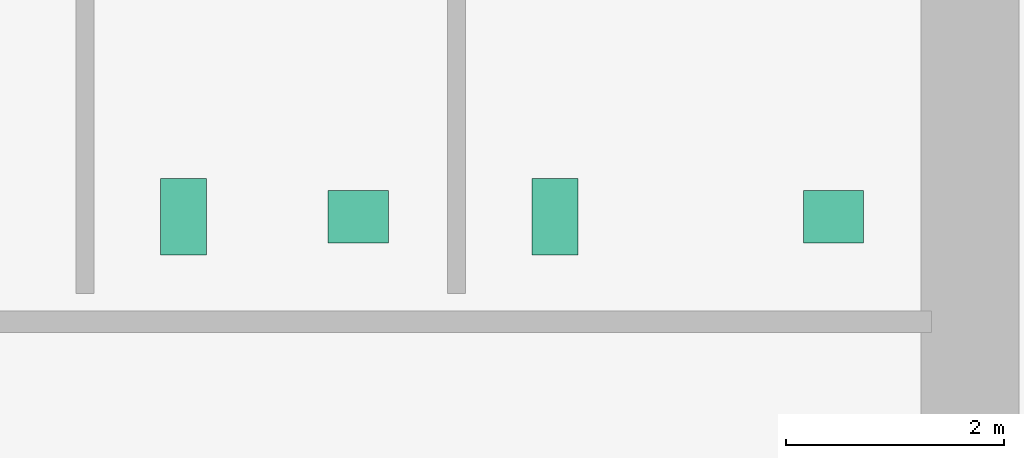
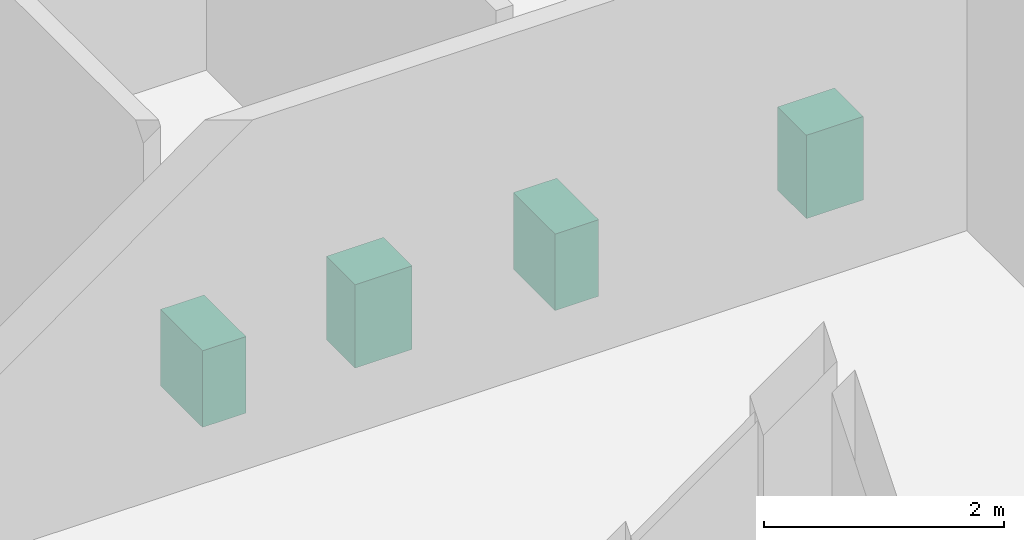
# One storey, part 13 of 13: 4 sanitary terminals.
"""IFC4 building model written with IfcOpenShell, lengths in metres."""

from ifc_helpers import new_model, si_unit, direction, frame, origin, origin_2d, place, context, subcontext, project, spatial, rectangle, extrude, material, type_object, element, save


model = new_model("IFC4")

# Units and contexts
model_context = context("Model", 3, precision=1e-05, world=origin(), true_north=direction((0.0, 1.0)))
body_context = subcontext(model_context, "Body", "Model", "MODEL_VIEW")
ifc_project = project(units=[si_unit("LENGTHUNIT", "METRE"), si_unit("AREAUNIT", "SQUARE_METRE"), si_unit("VOLUMEUNIT", "CUBIC_METRE"), si_unit("PLANEANGLEUNIT", "RADIAN"), si_unit("MASSUNIT", "GRAM", prefix="KILO")], contexts=[model_context])

# Site, building, storey
site_placement = place(None, origin())
site = spatial("IfcSite", under=ifc_project, at=site_placement, CompositionType="ELEMENT")
building_placement = place(site_placement, origin())
building = spatial("IfcBuilding", under=site, at=building_placement, Name="Norrvale University Quadrangle", CompositionType="ELEMENT")
storey_placement = place(building_placement, frame((0.0, 0.0, 81.199951171875)))
storey = spatial("IfcBuildingStorey", under=building, at=storey_placement, Name="L20", CompositionType="ELEMENT", Elevation=81.199951171875)

# Sanitary terminals
ifc_material = material(Name="Vitreous China Sanitaryware")
sanitary_terminal_type_1 = type_object("IfcSanitaryTerminalType", Name="Sanitary Wash Basin", PredefinedType="WASHHANDBASIN", material=ifc_material)
for number, where, z_axis, x_axis, name in (
    (1, (11.199951171875, 41.10009765625, 0.0), (0.0, 0.0, 1.0), (1.0, 0.0, 0.0), "Accessible Countertop Washbasin L20-1"),
    (2, (15.550048828125, 41.10009765625, 0.0), (0.0, 0.0, 1.0), (1.0, 0.0, 0.0), "Accessible Countertop Washbasin L20-2"),
):
    element("IfcSanitaryTerminal", number, at=place(storey_placement, frame(where, z_axis=z_axis, x_axis=x_axis)), inside=storey, type_object=sanitary_terminal_type_1, Name=name, PredefinedType="WASHHANDBASIN", context=body_context, shape_type="SweptSolid", body=[
        extrude(rectangle(XDim=0.550048828125, YDim=0.47998046875, at=origin_2d()), origin(), (0.0, 0.0, 1.0), 0.85009765625),
    ])
sanitary_terminal_type_2 = type_object("IfcSanitaryTerminalType", Name="Sanitary Water Closet", PredefinedType="TOILETPAN", material=ifc_material)
for number, where, z_axis, x_axis, name in (
    (3, (9.60009765625, 41.10009765625, 0.0), (0.0, 0.0, 1.0), (1.0, 0.0, 0.0), "Wall-Hung Water Closet L20-1"),
    (4, (13.0, 41.10009765625, 0.0), (0.0, 0.0, 1.0), (1.0, 0.0, 0.0), "Wall-Hung Water Closet L20-2"),
):
    element("IfcSanitaryTerminal", number, at=place(storey_placement, frame(where, z_axis=z_axis, x_axis=x_axis)), inside=storey, type_object=sanitary_terminal_type_2, Name=name, PredefinedType="TOILETPAN", context=body_context, shape_type="SweptSolid", body=[
        extrude(rectangle(XDim=0.419921875, YDim=0.699951171875, at=origin_2d()), origin(), (0.0, 0.0, 1.0), 0.780029296875),
    ])

save(model, "model.ifc")
